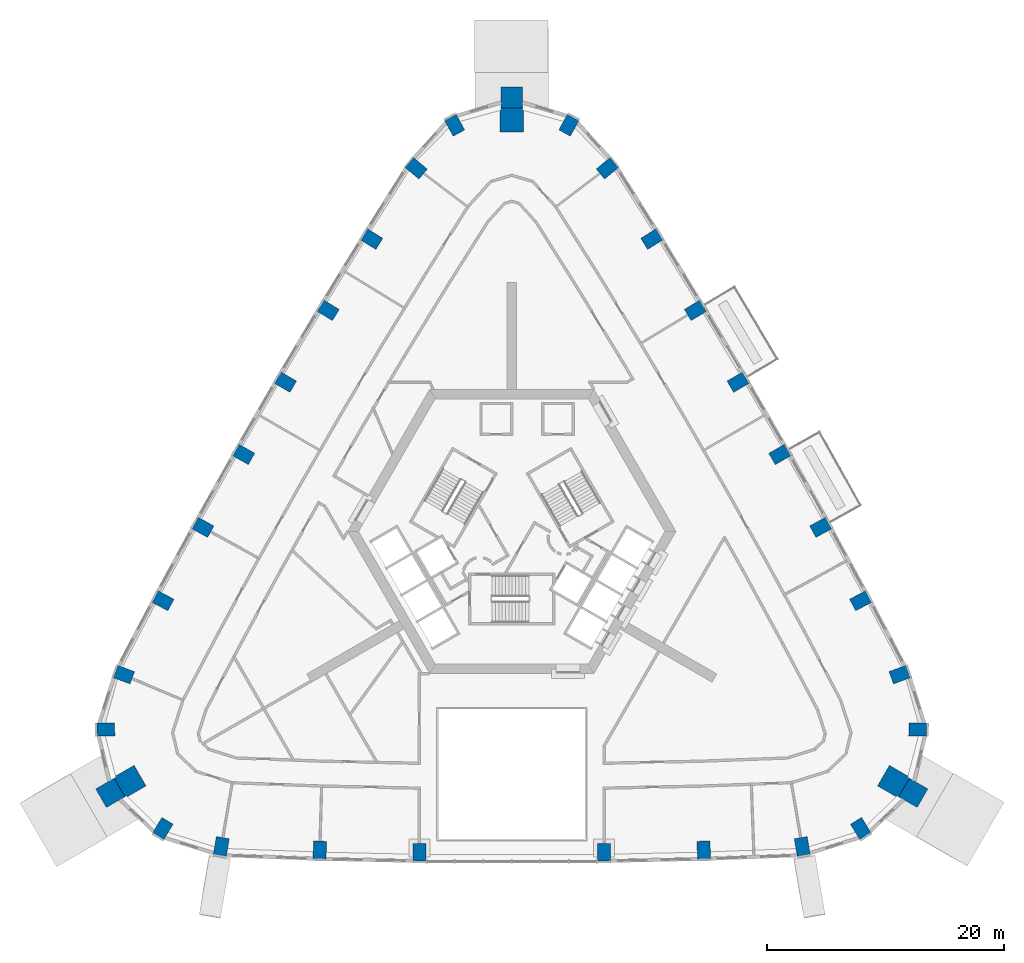
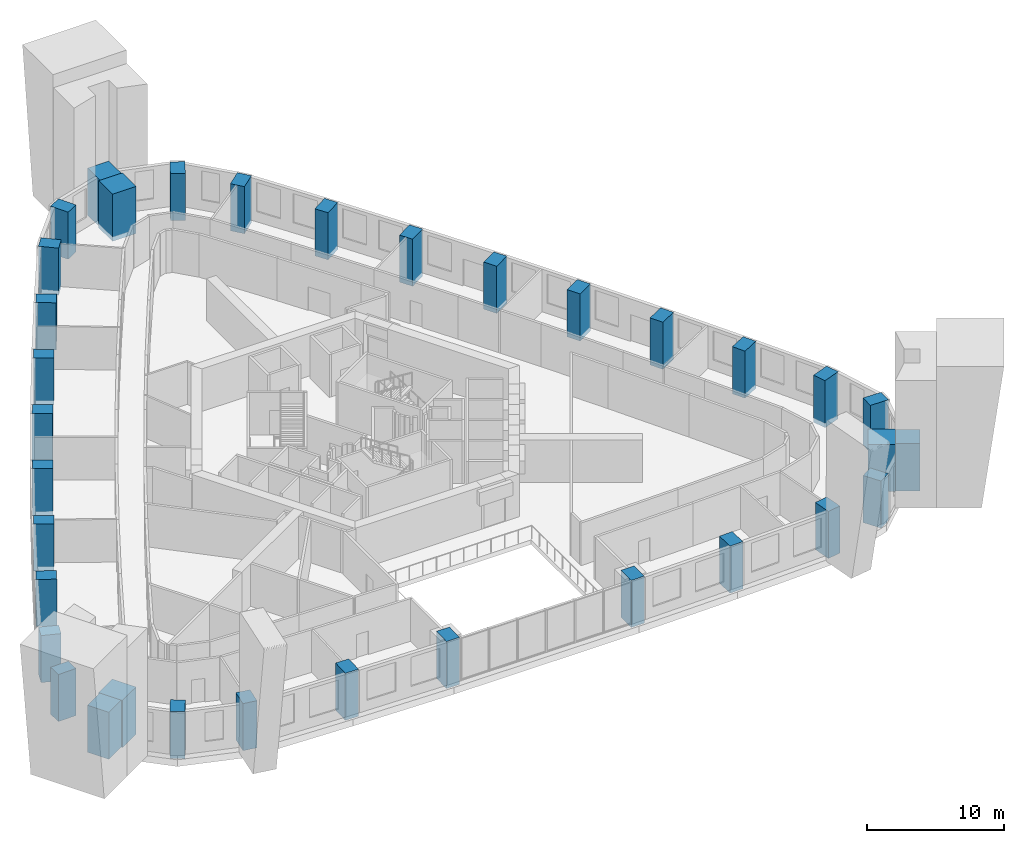
# One storey, part 1 of 14: 34 columns.
"""IFC4 building model written with IfcOpenShell, lengths in metres."""

from ifc_helpers import new_model, si_unit, direction, frame, origin, origin_2d, place, context, subcontext, project, spatial, rectangle, extrude, material, material_profile, profile_set, type_object, element, save


model = new_model("IFC4")

# Units and contexts
model_context = context("Model", 3, precision=1e-05, world=origin(), true_north=direction((0.0, 1.0)))
body_context = subcontext(model_context, "Body", "Model", "MODEL_VIEW")
ifc_project = project(units=[si_unit("LENGTHUNIT", "METRE"), si_unit("AREAUNIT", "SQUARE_METRE"), si_unit("VOLUMEUNIT", "CUBIC_METRE"), si_unit("PLANEANGLEUNIT", "RADIAN"), si_unit("MASSUNIT", "GRAM", prefix="KILO")], contexts=[model_context])

# Site, building, storey
site_placement = place(None, origin())
site = spatial("IfcSite", under=ifc_project, at=site_placement, CompositionType="ELEMENT")
building_placement = place(site_placement, origin())
building = spatial("IfcBuilding", under=site, at=building_placement, Name="Entoto Arch Interchange Tower", CompositionType="ELEMENT")
storey_placement = place(building_placement, frame((0.0, 0.0, 163.39990234375)))
storey = spatial("IfcBuildingStorey", under=building, at=storey_placement, Name="L36", CompositionType="ELEMENT", Elevation=163.39990234375)

# Columns
ifc_material_1 = material(Name="Concrete C50/60", Category="concrete")
ifc_material_profile_1 = material_profile(ifc_material_1, rectangle(XDim=1.10009765625, YDim=1.5, at=origin_2d()))
ifc_profile_set_1 = profile_set([ifc_material_profile_1], Name="Concrete C50/60")
column_type_1 = type_object("IfcColumnType", Name="Column RC 1100x1500 C50/60", PredefinedType="COLUMN", material=ifc_profile_set_1)
for number, where, z_axis, x_axis, name in (
    (1, (-24.51806640625, -24.090087890625, -0.39990234375), (0.0, 0.0, 1.0), (-0.985753417505, 0.168196908046, 0.0), "Column S01 L36"),
    (2, (-16.205078125, -24.389892578125, -0.39990234375), (0.0, 0.0, 1.0), (-0.999496089207, 0.031742206272, 0.0), "Column S02 L36"),
    (3, (-7.7890625, -24.572998046875, -0.39990234375), (0.0, 0.0, 1.0), (-0.999931015761, 0.011745795767, 0.0), "Column S03 L36"),
    (4, (7.7890625, -24.572998046875, -0.39990234375), (0.0, 0.0, 1.0), (0.999931015761, 0.011745795767, 0.0), "Column S04 L36"),
    (5, (16.205078125, -24.389892578125, -0.39990234375), (0.0, 0.0, 1.0), (0.999496089207, 0.031742206272, 0.0), "Column S05 L36"),
    (6, (24.51806640625, -24.090087890625, -0.39990234375), (0.0, 0.0, 1.0), (0.985753417505, 0.168196908046, 0.0), "Column S06 L36"),
    (7, (29.449951171875, -22.571044921875, -0.39990234375), (0.0, 0.0, 1.0), (0.853714435155, 0.520741455243, 0.0), "Column SE1 L36"),
    (8, (34.27099609375, -14.218994140625, -0.39990234375), (0.0, 0.0, 1.0), (0.024118111467, 0.999709116043, 0.0), "Column SE3 L36"),
    (9, (32.738037109375, -9.593017578125, -0.39990234375), (0.0, 0.0, 1.0), (-0.346591874029, 0.93801603017, 0.0), "Column NE01 L36"),
    (10, (29.43994140625, -3.35498046875, -0.39990234375), (0.0, 0.0, 1.0), (-0.469856776649, 0.882742663202, 0.0), "Column NE02 L36"),
    (11, (26.071044921875, 2.841064453125, -0.39990234375), (0.0, 0.0, 1.0), (-0.481983074142, 0.876180527198, 0.0), "Column NE03 L36"),
    (12, (22.623046875, 8.990966796875, -0.39990234375), (0.0, 0.0, 1.0), (-0.49401774245, 0.869451821635, 0.0), "Column NE04 L36"),
    (13, (19.09912109375, 15.097900390625, -0.39990234375), (0.0, 0.0, 1.0), (-0.505958493678, 0.8625578257, 0.0), "Column NE05 L36"),
    (14, (15.49609375, 21.157958984375, -0.39990234375), (0.0, 0.0, 1.0), (-0.517803057784, 0.85549985, 0.0), "Column NE06 L36"),
    (15, (11.81494140625, 27.172119140625, -0.39990234375), (0.0, 0.0, 1.0), (-0.529549183013, 0.848279236319, 0.0), "Column NE07 L36"),
    (16, (8.06103515625, 33.14892578125, -0.39990234375), (0.0, 0.0, 1.0), (-0.63904977427, 0.76916538274, 0.0), "Column NE08 L36"),
    (17, (4.822021484375, 36.7900390625, -0.39990234375), (0.0, 0.0, 1.0), (-0.877832546621, 0.4789676608, 0.0), "Column N1 L36"),
    (18, (-4.822021484375, 36.7900390625, -0.39990234375), (0.0, 0.0, 1.0), (0.877832546621, 0.4789676608, 0.0), "Column N3 L36"),
    (19, (-8.06103515625, 33.14892578125, -0.39990234375), (0.0, 0.0, 1.0), (0.63904977427, 0.76916538274, 0.0), "Column NW01 L36"),
    (20, (-11.81494140625, 27.172119140625, -0.39990234375), (0.0, 0.0, 1.0), (0.529549183013, 0.848279236319, 0.0), "Column NW02 L36"),
    (21, (-15.49609375, 21.157958984375, -0.39990234375), (0.0, 0.0, 1.0), (0.517803057784, 0.85549985, 0.0), "Column NW03 L36"),
    (22, (-19.09912109375, 15.097900390625, -0.39990234375), (0.0, 0.0, 1.0), (0.505958493678, 0.8625578257, 0.0), "Column NW04 L36"),
    (23, (-22.623046875, 8.990966796875, -0.39990234375), (0.0, 0.0, 1.0), (0.49401774245, 0.869451821635, 0.0), "Column NW05 L36"),
    (24, (-26.071044921875, 2.841064453125, -0.39990234375), (0.0, 0.0, 1.0), (0.481983074142, 0.876180527198, 0.0), "Column NW06 L36"),
    (25, (-29.43994140625, -3.35498046875, -0.39990234375), (0.0, 0.0, 1.0), (0.469856776649, 0.882742663202, 0.0), "Column NW07 L36"),
    (26, (-32.738037109375, -9.593017578125, -0.39990234375), (0.0, 0.0, 1.0), (0.346591874029, 0.93801603017, 0.0), "Column NW08 L36"),
    (27, (-34.27099609375, -14.218994140625, -0.39990234375), (0.0, 0.0, 1.0), (-0.024118111467, 0.999709116043, 0.0), "Column SW1 L36"),
    (28, (-29.449951171875, -22.571044921875, -0.39990234375), (0.0, 0.0, 1.0), (-0.853714435155, 0.520741455243, 0.0), "Column SW3 L36"),
):
    element("IfcColumn", number, at=place(storey_placement, frame(where, z_axis=z_axis, x_axis=x_axis)), inside=storey, type_object=column_type_1, Name=name, PredefinedType="COLUMN", context=body_context, shape_type="SweptSolid", body=[
        extrude(rectangle(XDim=1.10009765625, YDim=1.5, at=origin_2d()), origin(), (0.0, 0.0, 1.0), 4.199951171875),
    ])
ifc_material_2 = material(Name="Precast concrete C40/50", Category="concrete")
ifc_material_profile_2 = material_profile(ifc_material_2, rectangle(XDim=1.800048828125, YDim=1.800048828125, at=origin_2d()))
ifc_profile_set_2 = profile_set([ifc_material_profile_2], Name="Precast concrete C40/50")
column_type_2 = type_object("IfcColumnType", Name="Frame post RC 1800x1800 precast C40/50", PredefinedType="COLUMN", material=ifc_profile_set_2)
for number, where, z_axis, x_axis, name in (
    (29, (33.888916015625, -19.56494140625, -0.39990234375), (0.0, 0.0, 1.0), (-0.866025403784, 0.5, 0.0), "Frame post SE L36"),
    (30, (0.0, 39.131103515625, -0.39990234375), (0.0, 0.0, 1.0), (0.0, 1.0, 0.0), "Frame post N L36"),
    (31, (-33.888916015625, -19.56494140625, -0.39990234375), (0.0, 0.0, 1.0), (0.866025403784, 0.5, 0.0), "Frame post SW L36"),
):
    element("IfcColumn", number, at=place(storey_placement, frame(where, z_axis=z_axis, x_axis=x_axis)), inside=storey, type_object=column_type_2, Name=name, PredefinedType="COLUMN", context=body_context, shape_type="SweptSolid", body=[
        extrude(rectangle(XDim=1.800048828125, YDim=1.800048828125, at=origin_2d()), origin(), (0.0, 0.0, 1.0), 4.199951171875),
    ])
ifc_material_profile_3 = material_profile(ifc_material_1, rectangle(XDim=2.0, YDim=2.0, at=origin_2d()))
ifc_profile_set_3 = profile_set([ifc_material_profile_3], Name="Concrete C50/60")
column_type_3 = type_object("IfcColumnType", Name="Mega column RC 2000x2000 C50/60", PredefinedType="COLUMN", material=ifc_profile_set_3)
for number, where, z_axis, x_axis, name in (
    (32, (32.243896484375, -18.614990234375, -0.39990234375), (0.0, 0.0, 1.0), (-0.866025403784, 0.5, 0.0), "Corner mega column SE2 L36"),
    (33, (0.0, 37.23095703125, -0.39990234375), (0.0, 0.0, 1.0), (0.0, 1.0, 0.0), "Corner mega column N2 L36"),
    (34, (-32.243896484375, -18.614990234375, -0.39990234375), (0.0, 0.0, 1.0), (0.866025403784, 0.5, 0.0), "Corner mega column SW2 L36"),
):
    element("IfcColumn", number, at=place(storey_placement, frame(where, z_axis=z_axis, x_axis=x_axis)), inside=storey, type_object=column_type_3, Name=name, PredefinedType="COLUMN", context=body_context, shape_type="SweptSolid", body=[
        extrude(rectangle(XDim=2.0, YDim=2.0, at=origin_2d()), origin(), (0.0, 0.0, 1.0), 4.199951171875),
    ])

save(model, "model.ifc")
